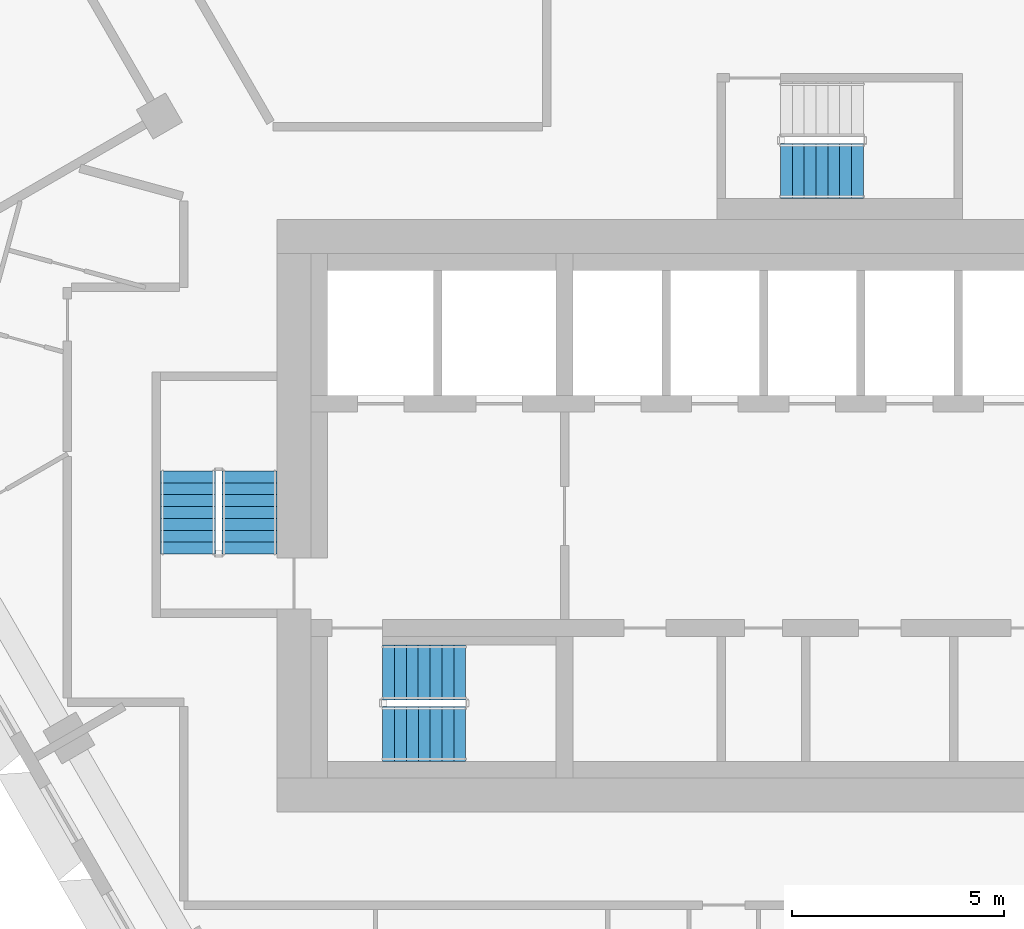
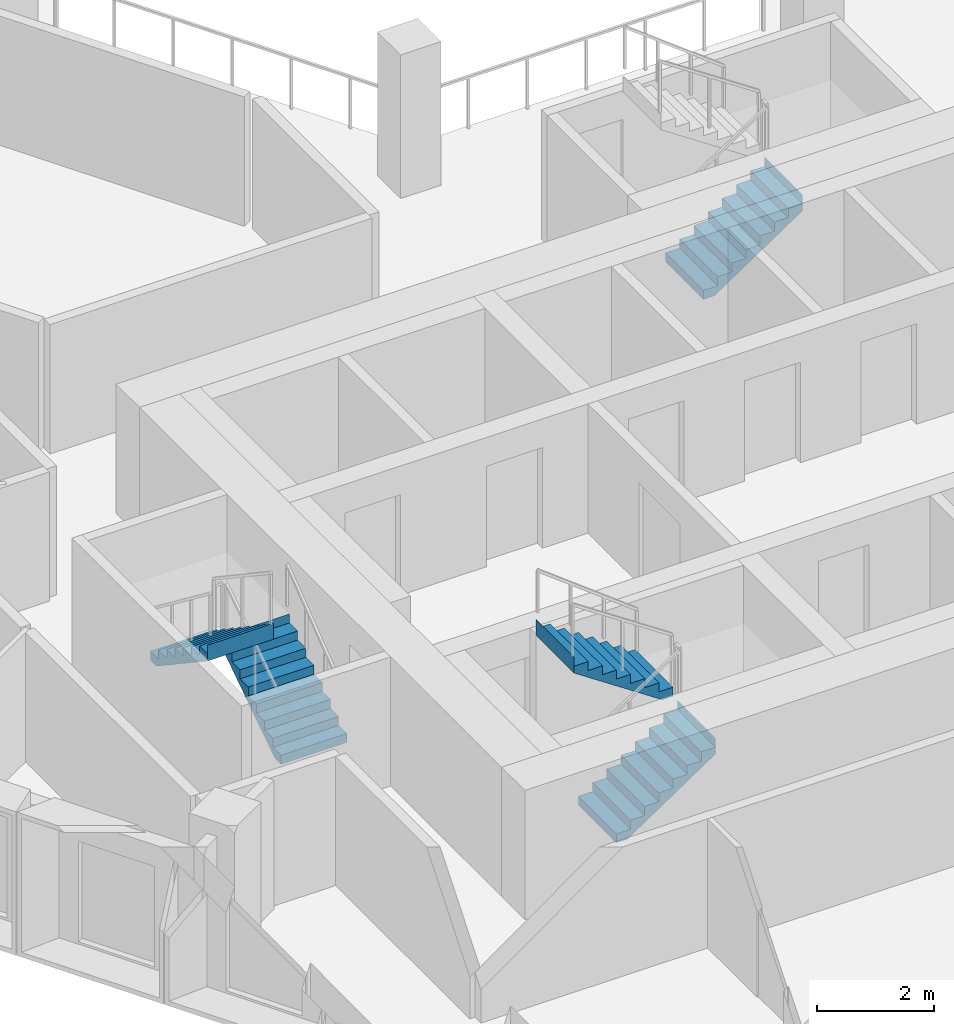
# One storey, part 12 of 17: 5 stair flights, 3 elements without a shape of their own.
"""IFC4 building model written with IfcOpenShell, lengths in metres."""

from ifc_helpers import new_model, si_unit, direction, frame, origin, place, context, subcontext, project, spatial, triangles, material, type_object, element, aggregate, save


model = new_model("IFC4")

# Units and contexts
model_context = context("Model", 3, precision=1e-05, world=origin(), true_north=direction((0.0, 1.0)))
body_context = subcontext(model_context, "Body", "Model", "MODEL_VIEW")
ifc_project = project(units=[si_unit("LENGTHUNIT", "METRE"), si_unit("AREAUNIT", "SQUARE_METRE"), si_unit("VOLUMEUNIT", "CUBIC_METRE"), si_unit("PLANEANGLEUNIT", "RADIAN"), si_unit("MASSUNIT", "GRAM", prefix="KILO")], contexts=[model_context])

# Site, building, storey
site_placement = place(None, origin())
site = spatial("IfcSite", under=ifc_project, at=site_placement, CompositionType="ELEMENT")
building_placement = place(site_placement, origin())
building = spatial("IfcBuilding", under=site, at=building_placement, Name="Beryl Residences", CompositionType="ELEMENT")
storey_placement = place(building_placement, frame((0.0, 0.0, 126.60009765625)))
storey = spatial("IfcBuildingStorey", under=building, at=storey_placement, Name="L38", CompositionType="ELEMENT", Elevation=126.60009765625)

# Stair, stair flights
ifc_material_1 = material(Name="Concrete C40/50", Category="concrete")
stair_type = type_object("IfcStairType", Name="ST1 protected exit stair, half-turn, 1300 mm flights", PredefinedType="HALF_TURN_STAIR", material=ifc_material_1)
stair_1_placement = place(storey_placement, origin())
stair_1 = element("IfcStair", 1, at=stair_1_placement, inside=storey, type_object=stair_type, Name="L38 PROTECTED EXIT STAIR ST-1", PredefinedType="HALF_TURN_STAIR")
ifc_material_2 = material(Name="Concrete C40/50", Category="concrete")
stair_flight_type = type_object("IfcStairFlightType", Name="SF1 stair flight 1300 mm", PredefinedType="STRAIGHT", material=ifc_material_2)
stair_flight_1_placement = place(storey_placement, frame((-10.800048828125, -17.14990234375, 0.0), z_axis=(0.0, 0.0, 1.0), x_axis=(1.0, 0.0, 0.0)))
stair_flight_1 = element("IfcStairFlight", 2, at=stair_flight_1_placement, type_object=stair_flight_type, Name="ST-1 flight 1", NumberOfRisers=8, NumberOfTreads=7, PredefinedType="STRAIGHT", RiserHeight=0.1875, TreadLength=0.28, context=body_context, shape_type="Tessellation", body=[
    triangles([(0.0, -0.64990234375, 0.0), (0.0, -0.324951171875, 0.0), (0.0, 0.0, 0.0), (0.0, 0.324951171875, 0.0), (0.0, 0.64990234375, 0.0), (0.0, -0.64990234375, 0.1875), (0.0, -0.324951171875, 0.1875), (0.0, 0.0, 0.1875), (0.0, 0.324951171875, 0.1875), (0.0, 0.64990234375, 0.1875), (0.280029296875, -0.64990234375, 0.1875), (0.280029296875, -0.324951171875, 0.1875), (0.280029296875, 0.0, 0.1875), (0.280029296875, 0.324951171875, 0.1875), (0.280029296875, 0.64990234375, 0.1875), (0.280029296875, -0.64990234375, 0.375), (0.280029296875, -0.324951171875, 0.375), (0.280029296875, 0.0, 0.375), (0.280029296875, 0.324951171875, 0.375), (0.280029296875, 0.64990234375, 0.375), (0.56005859375, -0.64990234375, 0.375), (0.56005859375, -0.324951171875, 0.375), (0.56005859375, 0.0, 0.375), (0.56005859375, 0.324951171875, 0.375), (0.56005859375, 0.64990234375, 0.375), (0.56005859375, -0.64990234375, 0.5625), (0.56005859375, -0.324951171875, 0.5625), (0.56005859375, 0.0, 0.5625), (0.56005859375, 0.324951171875, 0.5625), (0.56005859375, 0.64990234375, 0.5625), (0.840087890625, -0.64990234375, 0.5625), (0.840087890625, -0.324951171875, 0.5625), (0.840087890625, 0.0, 0.5625), (0.840087890625, 0.324951171875, 0.5625), (0.840087890625, 0.64990234375, 0.5625), (0.840087890625, -0.64990234375, 0.75), (0.840087890625, -0.324951171875, 0.75), (0.840087890625, 0.0, 0.75), (0.840087890625, 0.324951171875, 0.75), (0.840087890625, 0.64990234375, 0.75), (1.1201171875, -0.64990234375, 0.75), (1.1201171875, -0.324951171875, 0.75), (1.1201171875, 0.0, 0.75), (1.1201171875, 0.324951171875, 0.75), (1.1201171875, 0.64990234375, 0.75), (1.1201171875, -0.64990234375, 0.9375), (1.1201171875, -0.324951171875, 0.9375), (1.1201171875, 0.0, 0.9375), (1.1201171875, 0.324951171875, 0.9375), (1.1201171875, 0.64990234375, 0.9375), (1.39990234375, -0.64990234375, 0.9375), (1.39990234375, -0.324951171875, 0.9375), (1.39990234375, 0.0, 0.9375), (1.39990234375, 0.324951171875, 0.9375), (1.39990234375, 0.64990234375, 0.9375), (1.39990234375, -0.64990234375, 1.125), (1.39990234375, -0.324951171875, 1.125), (1.39990234375, 0.0, 1.125), (1.39990234375, 0.324951171875, 1.125), (1.39990234375, 0.64990234375, 1.125), (1.679931640625, -0.64990234375, 1.125), (1.679931640625, -0.324951171875, 1.125), (1.679931640625, 0.0, 1.125), (1.679931640625, 0.324951171875, 1.125), (1.679931640625, 0.64990234375, 1.125), (1.679931640625, -0.64990234375, 1.3125), (1.679931640625, -0.324951171875, 1.3125), (1.679931640625, 0.0, 1.3125), (1.679931640625, 0.324951171875, 1.3125), (1.679931640625, 0.64990234375, 1.3125), (1.9599609375, -0.64990234375, 1.3125), (1.9599609375, -0.324951171875, 1.3125), (1.9599609375, 0.0, 1.3125), (1.9599609375, 0.324951171875, 1.3125), (1.9599609375, 0.64990234375, 1.3125), (1.9599609375, -0.64990234375, 1.5), (1.9599609375, -0.324951171875, 1.5), (1.9599609375, 0.0, 1.5), (1.9599609375, 0.324951171875, 1.5), (1.9599609375, 0.64990234375, 1.5), (1.9609375, -0.64990234375, 1.5), (1.9609375, -0.324951171875, 1.5), (1.9609375, 0.0, 1.5), (1.9609375, 0.324951171875, 1.5), (1.9609375, 0.64990234375, 1.5), (1.9609375, -0.64990234375, 1.16796875), (1.9609375, -0.324951171875, 1.16796875), (1.9609375, 0.0, 1.16796875), (1.9609375, 0.324951171875, 1.16796875), (1.9609375, 0.64990234375, 1.16796875), (0.216796875, -0.64990234375, 0.0), (0.216796875, -0.324951171875, 0.0), (0.216796875, 0.0, 0.0), (0.216796875, 0.324951171875, 0.0), (0.216796875, 0.64990234375, 0.0)], [[1, 6, 7], [1, 7, 2], [2, 7, 8], [2, 8, 3], [3, 8, 9], [3, 9, 4], [4, 9, 10], [4, 10, 5], [6, 11, 12], [6, 12, 7], [7, 12, 13], [7, 13, 8], [8, 13, 14], [8, 14, 9], [9, 14, 15], [9, 15, 10], [11, 16, 17], [11, 17, 12], [12, 17, 18], [12, 18, 13], [13, 18, 19], [13, 19, 14], [14, 19, 20], [14, 20, 15], [16, 21, 22], [16, 22, 17], [17, 22, 23], [17, 23, 18], [18, 23, 24], [18, 24, 19], [19, 24, 25], [19, 25, 20], [21, 26, 27], [21, 27, 22], [22, 27, 28], [22, 28, 23], [23, 28, 29], [23, 29, 24], [24, 29, 30], [24, 30, 25], [26, 31, 32], [26, 32, 27], [27, 32, 33], [27, 33, 28], [28, 33, 34], [28, 34, 29], [29, 34, 35], [29, 35, 30], [31, 36, 37], [31, 37, 32], [32, 37, 38], [32, 38, 33], [33, 38, 39], [33, 39, 34], [34, 39, 40], [34, 40, 35], [36, 41, 42], [36, 42, 37], [37, 42, 43], [37, 43, 38], [38, 43, 44], [38, 44, 39], [39, 44, 45], [39, 45, 40], [41, 46, 47], [41, 47, 42], [42, 47, 48], [42, 48, 43], [43, 48, 49], [43, 49, 44], [44, 49, 50], [44, 50, 45], [46, 51, 52], [46, 52, 47], [47, 52, 53], [47, 53, 48], [48, 53, 54], [48, 54, 49], [49, 54, 55], [49, 55, 50], [51, 56, 57], [51, 57, 52], [52, 57, 58], [52, 58, 53], [53, 58, 59], [53, 59, 54], [54, 59, 60], [54, 60, 55], [56, 61, 62], [56, 62, 57], [57, 62, 63], [57, 63, 58], [58, 63, 64], [58, 64, 59], [59, 64, 65], [59, 65, 60], [61, 66, 67], [61, 67, 62], [62, 67, 68], [62, 68, 63], [63, 68, 69], [63, 69, 64], [64, 69, 70], [64, 70, 65], [66, 71, 72], [66, 72, 67], [67, 72, 73], [67, 73, 68], [68, 73, 74], [68, 74, 69], [69, 74, 75], [69, 75, 70], [71, 76, 77], [71, 77, 72], [72, 77, 78], [72, 78, 73], [73, 78, 79], [73, 79, 74], [74, 79, 80], [74, 80, 75], [76, 81, 82], [76, 82, 77], [77, 82, 83], [77, 83, 78], [78, 83, 84], [78, 84, 79], [79, 84, 85], [79, 85, 80], [81, 86, 87], [81, 87, 82], [82, 87, 88], [82, 88, 83], [83, 88, 89], [83, 89, 84], [84, 89, 90], [84, 90, 85], [86, 91, 92], [86, 92, 87], [87, 92, 93], [87, 93, 88], [88, 93, 94], [88, 94, 89], [89, 94, 95], [89, 95, 90], [91, 1, 2], [91, 2, 92], [92, 2, 3], [92, 3, 93], [93, 3, 4], [93, 4, 94], [94, 4, 5], [94, 5, 95], [1, 91, 86], [5, 90, 95], [86, 81, 76], [90, 80, 85], [86, 76, 71], [90, 75, 80], [86, 71, 66], [90, 70, 75], [86, 66, 61], [90, 65, 70], [61, 56, 51], [65, 55, 60], [86, 61, 51], [90, 55, 65], [51, 46, 41], [55, 45, 50], [86, 51, 41], [90, 45, 55], [41, 36, 31], [45, 35, 40], [86, 41, 31], [90, 35, 45], [31, 26, 21], [35, 25, 30], [86, 31, 21], [90, 25, 35], [21, 16, 11], [25, 15, 20], [86, 21, 11], [90, 15, 25], [1, 86, 11], [5, 15, 90], [11, 6, 1], [15, 5, 10]], closed=True),
])
stair_flight_2_placement = place(storey_placement, frame((-8.840087890625, -15.699951171875, 1.5), z_axis=(0.0, 0.0, 1.0), x_axis=(-1.0, 0.0, 0.0)))
stair_flight_2 = element("IfcStairFlight", 3, at=stair_flight_2_placement, type_object=stair_flight_type, Name="ST-1 flight 2", NumberOfRisers=8, NumberOfTreads=7, PredefinedType="STRAIGHT", RiserHeight=0.1875, TreadLength=0.28, context=body_context, shape_type="Tessellation", body=[
    triangles([(0.0, -0.64990234375, 0.0), (0.0, -0.324951171875, 0.0), (0.0, 0.0, 0.0), (0.0, 0.324951171875, 0.0), (0.0, 0.64990234375, 0.0), (0.0, -0.64990234375, 0.1875), (0.0, -0.324951171875, 0.1875), (0.0, 0.0, 0.1875), (0.0, 0.324951171875, 0.1875), (0.0, 0.64990234375, 0.1875), (0.280029296875, -0.64990234375, 0.1875), (0.280029296875, -0.324951171875, 0.1875), (0.280029296875, 0.0, 0.1875), (0.280029296875, 0.324951171875, 0.1875), (0.280029296875, 0.64990234375, 0.1875), (0.280029296875, -0.64990234375, 0.375), (0.280029296875, -0.324951171875, 0.375), (0.280029296875, 0.0, 0.375), (0.280029296875, 0.324951171875, 0.375), (0.280029296875, 0.64990234375, 0.375), (0.56005859375, -0.64990234375, 0.375), (0.56005859375, -0.324951171875, 0.375), (0.56005859375, 0.0, 0.375), (0.56005859375, 0.324951171875, 0.375), (0.56005859375, 0.64990234375, 0.375), (0.56005859375, -0.64990234375, 0.5625), (0.56005859375, -0.324951171875, 0.5625), (0.56005859375, 0.0, 0.5625), (0.56005859375, 0.324951171875, 0.5625), (0.56005859375, 0.64990234375, 0.5625), (0.840087890625, -0.64990234375, 0.5625), (0.840087890625, -0.324951171875, 0.5625), (0.840087890625, 0.0, 0.5625), (0.840087890625, 0.324951171875, 0.5625), (0.840087890625, 0.64990234375, 0.5625), (0.840087890625, -0.64990234375, 0.75), (0.840087890625, -0.324951171875, 0.75), (0.840087890625, 0.0, 0.75), (0.840087890625, 0.324951171875, 0.75), (0.840087890625, 0.64990234375, 0.75), (1.1201171875, -0.64990234375, 0.75), (1.1201171875, -0.324951171875, 0.75), (1.1201171875, 0.0, 0.75), (1.1201171875, 0.324951171875, 0.75), (1.1201171875, 0.64990234375, 0.75), (1.1201171875, -0.64990234375, 0.9375), (1.1201171875, -0.324951171875, 0.9375), (1.1201171875, 0.0, 0.9375), (1.1201171875, 0.324951171875, 0.9375), (1.1201171875, 0.64990234375, 0.9375), (1.39990234375, -0.64990234375, 0.9375), (1.39990234375, -0.324951171875, 0.9375), (1.39990234375, 0.0, 0.9375), (1.39990234375, 0.324951171875, 0.9375), (1.39990234375, 0.64990234375, 0.9375), (1.39990234375, -0.64990234375, 1.125), (1.39990234375, -0.324951171875, 1.125), (1.39990234375, 0.0, 1.125), (1.39990234375, 0.324951171875, 1.125), (1.39990234375, 0.64990234375, 1.125), (1.679931640625, -0.64990234375, 1.125), (1.679931640625, -0.324951171875, 1.125), (1.679931640625, 0.0, 1.125), (1.679931640625, 0.324951171875, 1.125), (1.679931640625, 0.64990234375, 1.125), (1.679931640625, -0.64990234375, 1.3125), (1.679931640625, -0.324951171875, 1.3125), (1.679931640625, 0.0, 1.3125), (1.679931640625, 0.324951171875, 1.3125), (1.679931640625, 0.64990234375, 1.3125), (1.9599609375, -0.64990234375, 1.3125), (1.9599609375, -0.324951171875, 1.3125), (1.9599609375, 0.0, 1.3125), (1.9599609375, 0.324951171875, 1.3125), (1.9599609375, 0.64990234375, 1.3125), (1.9599609375, -0.64990234375, 1.5), (1.9599609375, -0.324951171875, 1.5), (1.9599609375, 0.0, 1.5), (1.9599609375, 0.324951171875, 1.5), (1.9599609375, 0.64990234375, 1.5), (1.9609375, -0.64990234375, 1.5), (1.9609375, -0.324951171875, 1.5), (1.9609375, 0.0, 1.5), (1.9609375, 0.324951171875, 1.5), (1.9609375, 0.64990234375, 1.5), (1.9609375, -0.64990234375, 1.16796875), (1.9609375, -0.324951171875, 1.16796875), (1.9609375, 0.0, 1.16796875), (1.9609375, 0.324951171875, 1.16796875), (1.9609375, 0.64990234375, 1.16796875), (0.216796875, -0.64990234375, 0.0), (0.216796875, -0.324951171875, 0.0), (0.216796875, 0.0, 0.0), (0.216796875, 0.324951171875, 0.0), (0.216796875, 0.64990234375, 0.0)], [[1, 6, 7], [1, 7, 2], [2, 7, 8], [2, 8, 3], [3, 8, 9], [3, 9, 4], [4, 9, 10], [4, 10, 5], [6, 11, 12], [6, 12, 7], [7, 12, 13], [7, 13, 8], [8, 13, 14], [8, 14, 9], [9, 14, 15], [9, 15, 10], [11, 16, 17], [11, 17, 12], [12, 17, 18], [12, 18, 13], [13, 18, 19], [13, 19, 14], [14, 19, 20], [14, 20, 15], [16, 21, 22], [16, 22, 17], [17, 22, 23], [17, 23, 18], [18, 23, 24], [18, 24, 19], [19, 24, 25], [19, 25, 20], [21, 26, 27], [21, 27, 22], [22, 27, 28], [22, 28, 23], [23, 28, 29], [23, 29, 24], [24, 29, 30], [24, 30, 25], [26, 31, 32], [26, 32, 27], [27, 32, 33], [27, 33, 28], [28, 33, 34], [28, 34, 29], [29, 34, 35], [29, 35, 30], [31, 36, 37], [31, 37, 32], [32, 37, 38], [32, 38, 33], [33, 38, 39], [33, 39, 34], [34, 39, 40], [34, 40, 35], [36, 41, 42], [36, 42, 37], [37, 42, 43], [37, 43, 38], [38, 43, 44], [38, 44, 39], [39, 44, 45], [39, 45, 40], [41, 46, 47], [41, 47, 42], [42, 47, 48], [42, 48, 43], [43, 48, 49], [43, 49, 44], [44, 49, 50], [44, 50, 45], [46, 51, 52], [46, 52, 47], [47, 52, 53], [47, 53, 48], [48, 53, 54], [48, 54, 49], [49, 54, 55], [49, 55, 50], [51, 56, 57], [51, 57, 52], [52, 57, 58], [52, 58, 53], [53, 58, 59], [53, 59, 54], [54, 59, 60], [54, 60, 55], [56, 61, 62], [56, 62, 57], [57, 62, 63], [57, 63, 58], [58, 63, 64], [58, 64, 59], [59, 64, 65], [59, 65, 60], [61, 66, 67], [61, 67, 62], [62, 67, 68], [62, 68, 63], [63, 68, 69], [63, 69, 64], [64, 69, 70], [64, 70, 65], [66, 71, 72], [66, 72, 67], [67, 72, 73], [67, 73, 68], [68, 73, 74], [68, 74, 69], [69, 74, 75], [69, 75, 70], [71, 76, 77], [71, 77, 72], [72, 77, 78], [72, 78, 73], [73, 78, 79], [73, 79, 74], [74, 79, 80], [74, 80, 75], [76, 81, 82], [76, 82, 77], [77, 82, 83], [77, 83, 78], [78, 83, 84], [78, 84, 79], [79, 84, 85], [79, 85, 80], [81, 86, 87], [81, 87, 82], [82, 87, 88], [82, 88, 83], [83, 88, 89], [83, 89, 84], [84, 89, 90], [84, 90, 85], [86, 91, 92], [86, 92, 87], [87, 92, 93], [87, 93, 88], [88, 93, 94], [88, 94, 89], [89, 94, 95], [89, 95, 90], [91, 1, 2], [91, 2, 92], [92, 2, 3], [92, 3, 93], [93, 3, 4], [93, 4, 94], [94, 4, 5], [94, 5, 95], [1, 91, 86], [5, 90, 95], [86, 81, 76], [90, 80, 85], [86, 76, 71], [90, 75, 80], [86, 71, 66], [90, 70, 75], [86, 66, 61], [90, 65, 70], [61, 56, 51], [65, 55, 60], [86, 61, 51], [90, 55, 65], [51, 46, 41], [55, 45, 50], [86, 51, 41], [90, 45, 55], [41, 36, 31], [45, 35, 40], [86, 41, 31], [90, 35, 45], [31, 26, 21], [35, 25, 30], [86, 31, 21], [90, 25, 35], [21, 16, 11], [25, 15, 20], [86, 21, 11], [90, 15, 25], [1, 86, 11], [5, 15, 90], [11, 6, 1], [15, 5, 10]], closed=True),
])
aggregate(stair_1, [stair_flight_1, stair_flight_2])

stair_2_placement = place(storey_placement, origin())
stair_2 = element("IfcStair", 4, at=stair_2_placement, inside=storey, type_object=stair_type, Name="L38 PROTECTED EXIT STAIR ST-2", PredefinedType="HALF_TURN_STAIR")
stair_flight_3_placement = place(storey_placement, frame((-13.949951171875, -12.89990234375, 0.0), z_axis=(0.0, 0.0, 1.0), x_axis=(0.0, 1.0, 0.0)))
stair_flight_3 = element("IfcStairFlight", 5, at=stair_flight_3_placement, type_object=stair_flight_type, Name="ST-2 flight 1", NumberOfRisers=8, NumberOfTreads=7, PredefinedType="STRAIGHT", RiserHeight=0.1875, TreadLength=0.28, context=body_context, shape_type="Tessellation", body=[
    triangles([(0.0, -0.64990234375, 0.0), (0.0, -0.324951171875, 0.0), (0.0, 0.0, 0.0), (0.0, 0.324951171875, 0.0), (0.0, 0.64990234375, 0.0), (0.0, -0.64990234375, 0.1875), (0.0, -0.324951171875, 0.1875), (0.0, 0.0, 0.1875), (0.0, 0.324951171875, 0.1875), (0.0, 0.64990234375, 0.1875), (0.280029296875, -0.64990234375, 0.1875), (0.280029296875, -0.324951171875, 0.1875), (0.280029296875, 0.0, 0.1875), (0.280029296875, 0.324951171875, 0.1875), (0.280029296875, 0.64990234375, 0.1875), (0.280029296875, -0.64990234375, 0.375), (0.280029296875, -0.324951171875, 0.375), (0.280029296875, 0.0, 0.375), (0.280029296875, 0.324951171875, 0.375), (0.280029296875, 0.64990234375, 0.375), (0.56005859375, -0.64990234375, 0.375), (0.56005859375, -0.324951171875, 0.375), (0.56005859375, 0.0, 0.375), (0.56005859375, 0.324951171875, 0.375), (0.56005859375, 0.64990234375, 0.375), (0.56005859375, -0.64990234375, 0.5625), (0.56005859375, -0.324951171875, 0.5625), (0.56005859375, 0.0, 0.5625), (0.56005859375, 0.324951171875, 0.5625), (0.56005859375, 0.64990234375, 0.5625), (0.840087890625, -0.64990234375, 0.5625), (0.840087890625, -0.324951171875, 0.5625), (0.840087890625, 0.0, 0.5625), (0.840087890625, 0.324951171875, 0.5625), (0.840087890625, 0.64990234375, 0.5625), (0.840087890625, -0.64990234375, 0.75), (0.840087890625, -0.324951171875, 0.75), (0.840087890625, 0.0, 0.75), (0.840087890625, 0.324951171875, 0.75), (0.840087890625, 0.64990234375, 0.75), (1.1201171875, -0.64990234375, 0.75), (1.1201171875, -0.324951171875, 0.75), (1.1201171875, 0.0, 0.75), (1.1201171875, 0.324951171875, 0.75), (1.1201171875, 0.64990234375, 0.75), (1.1201171875, -0.64990234375, 0.9375), (1.1201171875, -0.324951171875, 0.9375), (1.1201171875, 0.0, 0.9375), (1.1201171875, 0.324951171875, 0.9375), (1.1201171875, 0.64990234375, 0.9375), (1.39990234375, -0.64990234375, 0.9375), (1.39990234375, -0.324951171875, 0.9375), (1.39990234375, 0.0, 0.9375), (1.39990234375, 0.324951171875, 0.9375), (1.39990234375, 0.64990234375, 0.9375), (1.39990234375, -0.64990234375, 1.125), (1.39990234375, -0.324951171875, 1.125), (1.39990234375, 0.0, 1.125), (1.39990234375, 0.324951171875, 1.125), (1.39990234375, 0.64990234375, 1.125), (1.679931640625, -0.64990234375, 1.125), (1.679931640625, -0.324951171875, 1.125), (1.679931640625, 0.0, 1.125), (1.679931640625, 0.324951171875, 1.125), (1.679931640625, 0.64990234375, 1.125), (1.679931640625, -0.64990234375, 1.3125), (1.679931640625, -0.324951171875, 1.3125), (1.679931640625, 0.0, 1.3125), (1.679931640625, 0.324951171875, 1.3125), (1.679931640625, 0.64990234375, 1.3125), (1.9599609375, -0.64990234375, 1.3125), (1.9599609375, -0.324951171875, 1.3125), (1.9599609375, 0.0, 1.3125), (1.9599609375, 0.324951171875, 1.3125), (1.9599609375, 0.64990234375, 1.3125), (1.9599609375, -0.64990234375, 1.5), (1.9599609375, -0.324951171875, 1.5), (1.9599609375, 0.0, 1.5), (1.9599609375, 0.324951171875, 1.5), (1.9599609375, 0.64990234375, 1.5), (1.9609375, -0.64990234375, 1.5), (1.9609375, -0.324951171875, 1.5), (1.9609375, 0.0, 1.5), (1.9609375, 0.324951171875, 1.5), (1.9609375, 0.64990234375, 1.5), (1.9609375, -0.64990234375, 1.16796875), (1.9609375, -0.324951171875, 1.16796875), (1.9609375, 0.0, 1.16796875), (1.9609375, 0.324951171875, 1.16796875), (1.9609375, 0.64990234375, 1.16796875), (0.216796875, -0.64990234375, 0.0), (0.216796875, -0.324951171875, 0.0), (0.216796875, 0.0, 0.0), (0.216796875, 0.324951171875, 0.0), (0.216796875, 0.64990234375, 0.0)], [[1, 6, 7], [1, 7, 2], [2, 7, 8], [2, 8, 3], [3, 8, 9], [3, 9, 4], [4, 9, 10], [4, 10, 5], [6, 11, 12], [6, 12, 7], [7, 12, 13], [7, 13, 8], [8, 13, 14], [8, 14, 9], [9, 14, 15], [9, 15, 10], [11, 16, 17], [11, 17, 12], [12, 17, 18], [12, 18, 13], [13, 18, 19], [13, 19, 14], [14, 19, 20], [14, 20, 15], [16, 21, 22], [16, 22, 17], [17, 22, 23], [17, 23, 18], [18, 23, 24], [18, 24, 19], [19, 24, 25], [19, 25, 20], [21, 26, 27], [21, 27, 22], [22, 27, 28], [22, 28, 23], [23, 28, 29], [23, 29, 24], [24, 29, 30], [24, 30, 25], [26, 31, 32], [26, 32, 27], [27, 32, 33], [27, 33, 28], [28, 33, 34], [28, 34, 29], [29, 34, 35], [29, 35, 30], [31, 36, 37], [31, 37, 32], [32, 37, 38], [32, 38, 33], [33, 38, 39], [33, 39, 34], [34, 39, 40], [34, 40, 35], [36, 41, 42], [36, 42, 37], [37, 42, 43], [37, 43, 38], [38, 43, 44], [38, 44, 39], [39, 44, 45], [39, 45, 40], [41, 46, 47], [41, 47, 42], [42, 47, 48], [42, 48, 43], [43, 48, 49], [43, 49, 44], [44, 49, 50], [44, 50, 45], [46, 51, 52], [46, 52, 47], [47, 52, 53], [47, 53, 48], [48, 53, 54], [48, 54, 49], [49, 54, 55], [49, 55, 50], [51, 56, 57], [51, 57, 52], [52, 57, 58], [52, 58, 53], [53, 58, 59], [53, 59, 54], [54, 59, 60], [54, 60, 55], [56, 61, 62], [56, 62, 57], [57, 62, 63], [57, 63, 58], [58, 63, 64], [58, 64, 59], [59, 64, 65], [59, 65, 60], [61, 66, 67], [61, 67, 62], [62, 67, 68], [62, 68, 63], [63, 68, 69], [63, 69, 64], [64, 69, 70], [64, 70, 65], [66, 71, 72], [66, 72, 67], [67, 72, 73], [67, 73, 68], [68, 73, 74], [68, 74, 69], [69, 74, 75], [69, 75, 70], [71, 76, 77], [71, 77, 72], [72, 77, 78], [72, 78, 73], [73, 78, 79], [73, 79, 74], [74, 79, 80], [74, 80, 75], [76, 81, 82], [76, 82, 77], [77, 82, 83], [77, 83, 78], [78, 83, 84], [78, 84, 79], [79, 84, 85], [79, 85, 80], [81, 86, 87], [81, 87, 82], [82, 87, 88], [82, 88, 83], [83, 88, 89], [83, 89, 84], [84, 89, 90], [84, 90, 85], [86, 91, 92], [86, 92, 87], [87, 92, 93], [87, 93, 88], [88, 93, 94], [88, 94, 89], [89, 94, 95], [89, 95, 90], [91, 1, 2], [91, 2, 92], [92, 2, 3], [92, 3, 93], [93, 3, 4], [93, 4, 94], [94, 4, 5], [94, 5, 95], [1, 91, 86], [5, 90, 95], [86, 81, 76], [90, 80, 85], [86, 76, 71], [90, 75, 80], [86, 71, 66], [90, 70, 75], [86, 66, 61], [90, 65, 70], [61, 56, 51], [65, 55, 60], [86, 61, 51], [90, 55, 65], [51, 46, 41], [55, 45, 50], [86, 51, 41], [90, 45, 55], [41, 36, 31], [45, 35, 40], [86, 41, 31], [90, 35, 45], [31, 26, 21], [35, 25, 30], [86, 31, 21], [90, 25, 35], [21, 16, 11], [25, 15, 20], [86, 21, 11], [90, 15, 25], [1, 86, 11], [5, 15, 90], [11, 6, 1], [15, 5, 10]], closed=True),
])
stair_flight_4_placement = place(storey_placement, frame((-15.39990234375, -10.93994140625, 1.5), z_axis=(0.0, 0.0, 1.0), x_axis=(0.0, -1.0, 0.0)))
stair_flight_4 = element("IfcStairFlight", 6, at=stair_flight_4_placement, type_object=stair_flight_type, Name="ST-2 flight 2", NumberOfRisers=8, NumberOfTreads=7, PredefinedType="STRAIGHT", RiserHeight=0.1875, TreadLength=0.28, context=body_context, shape_type="Tessellation", body=[
    triangles([(0.0, -0.64990234375, 0.0), (0.0, -0.324951171875, 0.0), (0.0, 0.0, 0.0), (0.0, 0.324951171875, 0.0), (0.0, 0.64990234375, 0.0), (0.0, -0.64990234375, 0.1875), (0.0, -0.324951171875, 0.1875), (0.0, 0.0, 0.1875), (0.0, 0.324951171875, 0.1875), (0.0, 0.64990234375, 0.1875), (0.280029296875, -0.64990234375, 0.1875), (0.280029296875, -0.324951171875, 0.1875), (0.280029296875, 0.0, 0.1875), (0.280029296875, 0.324951171875, 0.1875), (0.280029296875, 0.64990234375, 0.1875), (0.280029296875, -0.64990234375, 0.375), (0.280029296875, -0.324951171875, 0.375), (0.280029296875, 0.0, 0.375), (0.280029296875, 0.324951171875, 0.375), (0.280029296875, 0.64990234375, 0.375), (0.56005859375, -0.64990234375, 0.375), (0.56005859375, -0.324951171875, 0.375), (0.56005859375, 0.0, 0.375), (0.56005859375, 0.324951171875, 0.375), (0.56005859375, 0.64990234375, 0.375), (0.56005859375, -0.64990234375, 0.5625), (0.56005859375, -0.324951171875, 0.5625), (0.56005859375, 0.0, 0.5625), (0.56005859375, 0.324951171875, 0.5625), (0.56005859375, 0.64990234375, 0.5625), (0.840087890625, -0.64990234375, 0.5625), (0.840087890625, -0.324951171875, 0.5625), (0.840087890625, 0.0, 0.5625), (0.840087890625, 0.324951171875, 0.5625), (0.840087890625, 0.64990234375, 0.5625), (0.840087890625, -0.64990234375, 0.75), (0.840087890625, -0.324951171875, 0.75), (0.840087890625, 0.0, 0.75), (0.840087890625, 0.324951171875, 0.75), (0.840087890625, 0.64990234375, 0.75), (1.1201171875, -0.64990234375, 0.75), (1.1201171875, -0.324951171875, 0.75), (1.1201171875, 0.0, 0.75), (1.1201171875, 0.324951171875, 0.75), (1.1201171875, 0.64990234375, 0.75), (1.1201171875, -0.64990234375, 0.9375), (1.1201171875, -0.324951171875, 0.9375), (1.1201171875, 0.0, 0.9375), (1.1201171875, 0.324951171875, 0.9375), (1.1201171875, 0.64990234375, 0.9375), (1.39990234375, -0.64990234375, 0.9375), (1.39990234375, -0.324951171875, 0.9375), (1.39990234375, 0.0, 0.9375), (1.39990234375, 0.324951171875, 0.9375), (1.39990234375, 0.64990234375, 0.9375), (1.39990234375, -0.64990234375, 1.125), (1.39990234375, -0.324951171875, 1.125), (1.39990234375, 0.0, 1.125), (1.39990234375, 0.324951171875, 1.125), (1.39990234375, 0.64990234375, 1.125), (1.679931640625, -0.64990234375, 1.125), (1.679931640625, -0.324951171875, 1.125), (1.679931640625, 0.0, 1.125), (1.679931640625, 0.324951171875, 1.125), (1.679931640625, 0.64990234375, 1.125), (1.679931640625, -0.64990234375, 1.3125), (1.679931640625, -0.324951171875, 1.3125), (1.679931640625, 0.0, 1.3125), (1.679931640625, 0.324951171875, 1.3125), (1.679931640625, 0.64990234375, 1.3125), (1.9599609375, -0.64990234375, 1.3125), (1.9599609375, -0.324951171875, 1.3125), (1.9599609375, 0.0, 1.3125), (1.9599609375, 0.324951171875, 1.3125), (1.9599609375, 0.64990234375, 1.3125), (1.9599609375, -0.64990234375, 1.5), (1.9599609375, -0.324951171875, 1.5), (1.9599609375, 0.0, 1.5), (1.9599609375, 0.324951171875, 1.5), (1.9599609375, 0.64990234375, 1.5), (1.9609375, -0.64990234375, 1.5), (1.9609375, -0.324951171875, 1.5), (1.9609375, 0.0, 1.5), (1.9609375, 0.324951171875, 1.5), (1.9609375, 0.64990234375, 1.5), (1.9609375, -0.64990234375, 1.16796875), (1.9609375, -0.324951171875, 1.16796875), (1.9609375, 0.0, 1.16796875), (1.9609375, 0.324951171875, 1.16796875), (1.9609375, 0.64990234375, 1.16796875), (0.216796875, -0.64990234375, 0.0), (0.216796875, -0.324951171875, 0.0), (0.216796875, 0.0, 0.0), (0.216796875, 0.324951171875, 0.0), (0.216796875, 0.64990234375, 0.0)], [[1, 6, 7], [1, 7, 2], [2, 7, 8], [2, 8, 3], [3, 8, 9], [3, 9, 4], [4, 9, 10], [4, 10, 5], [6, 11, 12], [6, 12, 7], [7, 12, 13], [7, 13, 8], [8, 13, 14], [8, 14, 9], [9, 14, 15], [9, 15, 10], [11, 16, 17], [11, 17, 12], [12, 17, 18], [12, 18, 13], [13, 18, 19], [13, 19, 14], [14, 19, 20], [14, 20, 15], [16, 21, 22], [16, 22, 17], [17, 22, 23], [17, 23, 18], [18, 23, 24], [18, 24, 19], [19, 24, 25], [19, 25, 20], [21, 26, 27], [21, 27, 22], [22, 27, 28], [22, 28, 23], [23, 28, 29], [23, 29, 24], [24, 29, 30], [24, 30, 25], [26, 31, 32], [26, 32, 27], [27, 32, 33], [27, 33, 28], [28, 33, 34], [28, 34, 29], [29, 34, 35], [29, 35, 30], [31, 36, 37], [31, 37, 32], [32, 37, 38], [32, 38, 33], [33, 38, 39], [33, 39, 34], [34, 39, 40], [34, 40, 35], [36, 41, 42], [36, 42, 37], [37, 42, 43], [37, 43, 38], [38, 43, 44], [38, 44, 39], [39, 44, 45], [39, 45, 40], [41, 46, 47], [41, 47, 42], [42, 47, 48], [42, 48, 43], [43, 48, 49], [43, 49, 44], [44, 49, 50], [44, 50, 45], [46, 51, 52], [46, 52, 47], [47, 52, 53], [47, 53, 48], [48, 53, 54], [48, 54, 49], [49, 54, 55], [49, 55, 50], [51, 56, 57], [51, 57, 52], [52, 57, 58], [52, 58, 53], [53, 58, 59], [53, 59, 54], [54, 59, 60], [54, 60, 55], [56, 61, 62], [56, 62, 57], [57, 62, 63], [57, 63, 58], [58, 63, 64], [58, 64, 59], [59, 64, 65], [59, 65, 60], [61, 66, 67], [61, 67, 62], [62, 67, 68], [62, 68, 63], [63, 68, 69], [63, 69, 64], [64, 69, 70], [64, 70, 65], [66, 71, 72], [66, 72, 67], [67, 72, 73], [67, 73, 68], [68, 73, 74], [68, 74, 69], [69, 74, 75], [69, 75, 70], [71, 76, 77], [71, 77, 72], [72, 77, 78], [72, 78, 73], [73, 78, 79], [73, 79, 74], [74, 79, 80], [74, 80, 75], [76, 81, 82], [76, 82, 77], [77, 82, 83], [77, 83, 78], [78, 83, 84], [78, 84, 79], [79, 84, 85], [79, 85, 80], [81, 86, 87], [81, 87, 82], [82, 87, 88], [82, 88, 83], [83, 88, 89], [83, 89, 84], [84, 89, 90], [84, 90, 85], [86, 91, 92], [86, 92, 87], [87, 92, 93], [87, 93, 88], [88, 93, 94], [88, 94, 89], [89, 94, 95], [89, 95, 90], [91, 1, 2], [91, 2, 92], [92, 2, 3], [92, 3, 93], [93, 3, 4], [93, 4, 94], [94, 4, 5], [94, 5, 95], [1, 91, 86], [5, 90, 95], [86, 81, 76], [90, 80, 85], [86, 76, 71], [90, 75, 80], [86, 71, 66], [90, 70, 75], [86, 66, 61], [90, 65, 70], [61, 56, 51], [65, 55, 60], [86, 61, 51], [90, 55, 65], [51, 46, 41], [55, 45, 50], [86, 51, 41], [90, 45, 55], [41, 36, 31], [45, 35, 40], [86, 41, 31], [90, 35, 45], [31, 26, 21], [35, 25, 30], [86, 31, 21], [90, 25, 35], [21, 16, 11], [25, 15, 20], [86, 21, 11], [90, 15, 25], [1, 86, 11], [5, 15, 90], [11, 6, 1], [15, 5, 10]], closed=True),
])
aggregate(stair_2, [stair_flight_3, stair_flight_4])

# Stair, stair flight
stair_3_placement = place(storey_placement, origin())
stair_3 = element("IfcStair", 7, at=stair_3_placement, inside=storey, type_object=stair_type, Name="L38 PROTECTED EXIT STAIR ST-4", PredefinedType="HALF_TURN_STAIR")
stair_flight_5_placement = place(storey_placement, frame((-1.39990234375, -3.85009765625, 0.0), z_axis=(0.0, 0.0, 1.0), x_axis=(1.0, 0.0, 0.0)))
stair_flight_5 = element("IfcStairFlight", 8, at=stair_flight_5_placement, type_object=stair_flight_type, Name="ST-4 flight 1", NumberOfRisers=8, NumberOfTreads=7, PredefinedType="STRAIGHT", RiserHeight=0.1875, TreadLength=0.28, context=body_context, shape_type="Tessellation", body=[
    triangles([(0.0, -0.64990234375, 0.0), (0.0, -0.324951171875, 0.0), (0.0, 0.0, 0.0), (0.0, 0.324951171875, 0.0), (0.0, 0.64990234375, 0.0), (0.0, -0.64990234375, 0.1875), (0.0, -0.324951171875, 0.1875), (0.0, 0.0, 0.1875), (0.0, 0.324951171875, 0.1875), (0.0, 0.64990234375, 0.1875), (0.280029296875, -0.64990234375, 0.1875), (0.280029296875, -0.324951171875, 0.1875), (0.280029296875, 0.0, 0.1875), (0.280029296875, 0.324951171875, 0.1875), (0.280029296875, 0.64990234375, 0.1875), (0.280029296875, -0.64990234375, 0.375), (0.280029296875, -0.324951171875, 0.375), (0.280029296875, 0.0, 0.375), (0.280029296875, 0.324951171875, 0.375), (0.280029296875, 0.64990234375, 0.375), (0.56005859375, -0.64990234375, 0.375), (0.56005859375, -0.324951171875, 0.375), (0.56005859375, 0.0, 0.375), (0.56005859375, 0.324951171875, 0.375), (0.56005859375, 0.64990234375, 0.375), (0.56005859375, -0.64990234375, 0.5625), (0.56005859375, -0.324951171875, 0.5625), (0.56005859375, 0.0, 0.5625), (0.56005859375, 0.324951171875, 0.5625), (0.56005859375, 0.64990234375, 0.5625), (0.840087890625, -0.64990234375, 0.5625), (0.840087890625, -0.324951171875, 0.5625), (0.840087890625, 0.0, 0.5625), (0.840087890625, 0.324951171875, 0.5625), (0.840087890625, 0.64990234375, 0.5625), (0.840087890625, -0.64990234375, 0.75), (0.840087890625, -0.324951171875, 0.75), (0.840087890625, 0.0, 0.75), (0.840087890625, 0.324951171875, 0.75), (0.840087890625, 0.64990234375, 0.75), (1.1201171875, -0.64990234375, 0.75), (1.1201171875, -0.324951171875, 0.75), (1.1201171875, 0.0, 0.75), (1.1201171875, 0.324951171875, 0.75), (1.1201171875, 0.64990234375, 0.75), (1.1201171875, -0.64990234375, 0.9375), (1.1201171875, -0.324951171875, 0.9375), (1.1201171875, 0.0, 0.9375), (1.1201171875, 0.324951171875, 0.9375), (1.1201171875, 0.64990234375, 0.9375), (1.39990234375, -0.64990234375, 0.9375), (1.39990234375, -0.324951171875, 0.9375), (1.39990234375, 0.0, 0.9375), (1.39990234375, 0.324951171875, 0.9375), (1.39990234375, 0.64990234375, 0.9375), (1.39990234375, -0.64990234375, 1.125), (1.39990234375, -0.324951171875, 1.125), (1.39990234375, 0.0, 1.125), (1.39990234375, 0.324951171875, 1.125), (1.39990234375, 0.64990234375, 1.125), (1.679931640625, -0.64990234375, 1.125), (1.679931640625, -0.324951171875, 1.125), (1.679931640625, 0.0, 1.125), (1.679931640625, 0.324951171875, 1.125), (1.679931640625, 0.64990234375, 1.125), (1.679931640625, -0.64990234375, 1.3125), (1.679931640625, -0.324951171875, 1.3125), (1.679931640625, 0.0, 1.3125), (1.679931640625, 0.324951171875, 1.3125), (1.679931640625, 0.64990234375, 1.3125), (1.9599609375, -0.64990234375, 1.3125), (1.9599609375, -0.324951171875, 1.3125), (1.9599609375, 0.0, 1.3125), (1.9599609375, 0.324951171875, 1.3125), (1.9599609375, 0.64990234375, 1.3125), (1.9599609375, -0.64990234375, 1.5), (1.9599609375, -0.324951171875, 1.5), (1.9599609375, 0.0, 1.5), (1.9599609375, 0.324951171875, 1.5), (1.9599609375, 0.64990234375, 1.5), (1.9609375, -0.64990234375, 1.5), (1.9609375, -0.324951171875, 1.5), (1.9609375, 0.0, 1.5), (1.9609375, 0.324951171875, 1.5), (1.9609375, 0.64990234375, 1.5), (1.9609375, -0.64990234375, 1.16796875), (1.9609375, -0.324951171875, 1.16796875), (1.9609375, 0.0, 1.16796875), (1.9609375, 0.324951171875, 1.16796875), (1.9609375, 0.64990234375, 1.16796875), (0.216796875, -0.64990234375, 0.0), (0.216796875, -0.324951171875, 0.0), (0.216796875, 0.0, 0.0), (0.216796875, 0.324951171875, 0.0), (0.216796875, 0.64990234375, 0.0)], [[1, 6, 7], [1, 7, 2], [2, 7, 8], [2, 8, 3], [3, 8, 9], [3, 9, 4], [4, 9, 10], [4, 10, 5], [6, 11, 12], [6, 12, 7], [7, 12, 13], [7, 13, 8], [8, 13, 14], [8, 14, 9], [9, 14, 15], [9, 15, 10], [11, 16, 17], [11, 17, 12], [12, 17, 18], [12, 18, 13], [13, 18, 19], [13, 19, 14], [14, 19, 20], [14, 20, 15], [16, 21, 22], [16, 22, 17], [17, 22, 23], [17, 23, 18], [18, 23, 24], [18, 24, 19], [19, 24, 25], [19, 25, 20], [21, 26, 27], [21, 27, 22], [22, 27, 28], [22, 28, 23], [23, 28, 29], [23, 29, 24], [24, 29, 30], [24, 30, 25], [26, 31, 32], [26, 32, 27], [27, 32, 33], [27, 33, 28], [28, 33, 34], [28, 34, 29], [29, 34, 35], [29, 35, 30], [31, 36, 37], [31, 37, 32], [32, 37, 38], [32, 38, 33], [33, 38, 39], [33, 39, 34], [34, 39, 40], [34, 40, 35], [36, 41, 42], [36, 42, 37], [37, 42, 43], [37, 43, 38], [38, 43, 44], [38, 44, 39], [39, 44, 45], [39, 45, 40], [41, 46, 47], [41, 47, 42], [42, 47, 48], [42, 48, 43], [43, 48, 49], [43, 49, 44], [44, 49, 50], [44, 50, 45], [46, 51, 52], [46, 52, 47], [47, 52, 53], [47, 53, 48], [48, 53, 54], [48, 54, 49], [49, 54, 55], [49, 55, 50], [51, 56, 57], [51, 57, 52], [52, 57, 58], [52, 58, 53], [53, 58, 59], [53, 59, 54], [54, 59, 60], [54, 60, 55], [56, 61, 62], [56, 62, 57], [57, 62, 63], [57, 63, 58], [58, 63, 64], [58, 64, 59], [59, 64, 65], [59, 65, 60], [61, 66, 67], [61, 67, 62], [62, 67, 68], [62, 68, 63], [63, 68, 69], [63, 69, 64], [64, 69, 70], [64, 70, 65], [66, 71, 72], [66, 72, 67], [67, 72, 73], [67, 73, 68], [68, 73, 74], [68, 74, 69], [69, 74, 75], [69, 75, 70], [71, 76, 77], [71, 77, 72], [72, 77, 78], [72, 78, 73], [73, 78, 79], [73, 79, 74], [74, 79, 80], [74, 80, 75], [76, 81, 82], [76, 82, 77], [77, 82, 83], [77, 83, 78], [78, 83, 84], [78, 84, 79], [79, 84, 85], [79, 85, 80], [81, 86, 87], [81, 87, 82], [82, 87, 88], [82, 88, 83], [83, 88, 89], [83, 89, 84], [84, 89, 90], [84, 90, 85], [86, 91, 92], [86, 92, 87], [87, 92, 93], [87, 93, 88], [88, 93, 94], [88, 94, 89], [89, 94, 95], [89, 95, 90], [91, 1, 2], [91, 2, 92], [92, 2, 3], [92, 3, 93], [93, 3, 4], [93, 4, 94], [94, 4, 5], [94, 5, 95], [1, 91, 86], [5, 90, 95], [86, 81, 76], [90, 80, 85], [86, 76, 71], [90, 75, 80], [86, 71, 66], [90, 70, 75], [86, 66, 61], [90, 65, 70], [61, 56, 51], [65, 55, 60], [86, 61, 51], [90, 55, 65], [51, 46, 41], [55, 45, 50], [86, 51, 41], [90, 45, 55], [41, 36, 31], [45, 35, 40], [86, 41, 31], [90, 35, 45], [31, 26, 21], [35, 25, 30], [86, 31, 21], [90, 25, 35], [21, 16, 11], [25, 15, 20], [86, 21, 11], [90, 15, 25], [1, 86, 11], [5, 15, 90], [11, 6, 1], [15, 5, 10]], closed=True),
])
aggregate(stair_3, [stair_flight_5])

save(model, "model.ifc")
